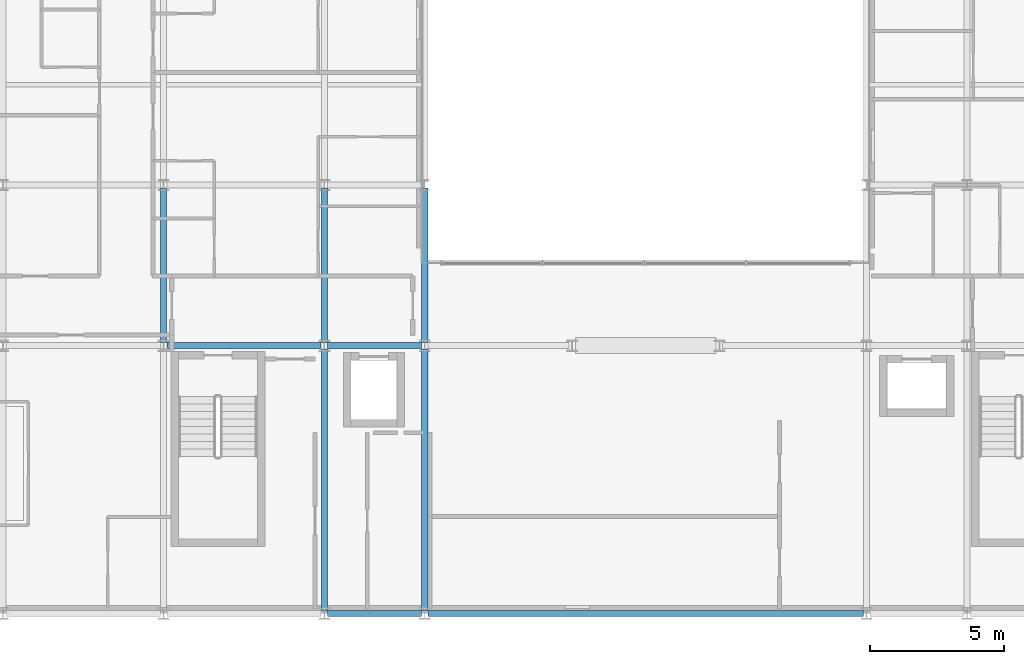
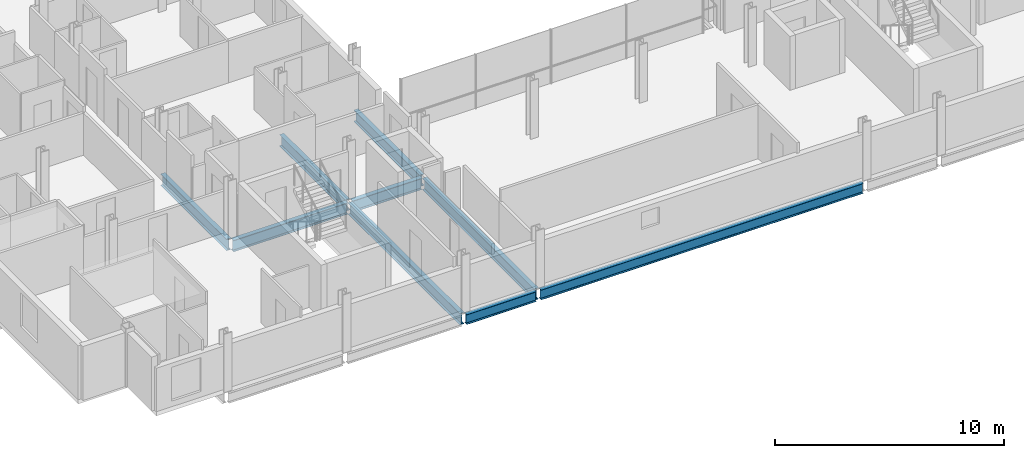
# One storey, part 3 of 39: 9 beams.
"""IFC4 building model written with IfcOpenShell, lengths in metres."""

from ifc_helpers import new_model, si_unit, direction, frame, origin, origin_2d, place, context, subcontext, project, spatial, i_section, extrude, material, material_profile, profile_set, type_object, element, save


model = new_model("IFC4")

# Units and contexts
model_context = context("Model", 3, precision=1e-05, world=origin(), true_north=direction((0.0, 1.0)))
body_context = subcontext(model_context, "Body", "Model", "MODEL_VIEW")
ifc_project = project(units=[si_unit("LENGTHUNIT", "METRE"), si_unit("AREAUNIT", "SQUARE_METRE"), si_unit("VOLUMEUNIT", "CUBIC_METRE"), si_unit("PLANEANGLEUNIT", "RADIAN"), si_unit("MASSUNIT", "GRAM", prefix="KILO")], contexts=[model_context])

# Site, building, storey
site_placement = place(None, origin())
site = spatial("IfcSite", under=ifc_project, at=site_placement, CompositionType="ELEMENT")
building_placement = place(site_placement, origin())
building = spatial("IfcBuilding", under=site, at=building_placement, Name="Brevholm Reach", CompositionType="ELEMENT")
storey_placement = place(building_placement, frame((0.0, 0.0, 103.5)))
storey = spatial("IfcBuildingStorey", under=building, at=storey_placement, Name="L30", CompositionType="ELEMENT", Elevation=103.5)

# Beams
ifc_material_1 = material(Name="Structural Steel S355J2", Category="steel")
ifc_material_profile_1 = material_profile(ifc_material_1, i_section(OverallWidth=0.209228515625, OverallDepth=0.533203125, WebThickness=0.010009765625, FlangeThickness=0.015625, FilletRadius=0.0126953125, at=origin_2d()), Name="UKB 533x210x92")
ifc_profile_set_1 = profile_set([ifc_material_profile_1], Name="Structural Steel S355J2")
beam_type_1 = type_object("IfcBeamType", Name="BM-SP533", PredefinedType="SPANDREL", material=ifc_profile_set_1)
beam_1_placement = place(storey_placement, frame((18.1201171875, 0.0, -0.486572265625), z_axis=(1.0, 0.0, 0.0), x_axis=(0.0, 1.0, 0.0)))
element("IfcBeam", 1, at=beam_1_placement, inside=storey, type_object=beam_type_1, Name="L30 SP-02 Framing Beam", PredefinedType="SPANDREL", context=body_context, shape_type="SweptSolid", body=[
    extrude(i_section(OverallWidth=0.209228515625, OverallDepth=0.533203125, WebThickness=0.010009765625, FlangeThickness=0.015625, FilletRadius=0.0126953125, at=origin_2d()), origin(), (0.0, 0.0, 1.0), 3.509765625),
])
beam_2_placement = place(storey_placement, frame((21.8701171875, 0.0, -0.486572265625), z_axis=(1.0, 0.0, 0.0), x_axis=(0.0, 1.0, 0.0)))
element("IfcBeam", 2, at=beam_2_placement, inside=storey, type_object=beam_type_1, Name="L30 SP-02 Framing Beam", PredefinedType="SPANDREL", context=body_context, shape_type="SweptSolid", body=[
    extrude(i_section(OverallWidth=0.209228515625, OverallDepth=0.533203125, WebThickness=0.010009765625, FlangeThickness=0.015625, FilletRadius=0.0126953125, at=origin_2d()), origin(), (0.0, 0.0, 1.0), 16.259765625),
])
ifc_material_2 = material(Name="Structural Steel S355J2", Category="steel")
ifc_material_profile_2 = material_profile(ifc_material_2, i_section(OverallWidth=0.22900390625, OverallDepth=0.6123046875, WebThickness=0.011962890625, FlangeThickness=0.01953125, FilletRadius=0.0126953125, at=origin_2d()), Name="UKB 610x229x125")
ifc_profile_set_2 = profile_set([ifc_material_profile_2], Name="Structural Steel S355J2")
beam_type_2 = type_object("IfcBeamType", Name="BM-SP610", PredefinedType="SPANDREL", material=ifc_profile_set_2)
beam_3_placement = place(storey_placement, frame((12.1201171875, 10.0, -0.526123046875), z_axis=(1.0, 0.0, 0.0), x_axis=(0.0, 1.0, 0.0)))
element("IfcBeam", 3, at=beam_3_placement, inside=storey, type_object=beam_type_2, Name="L30 SP-01 Framing Beam", PredefinedType="SPANDREL", context=body_context, shape_type="SweptSolid", body=[
    extrude(i_section(OverallWidth=0.22900390625, OverallDepth=0.6123046875, WebThickness=0.011962890625, FlangeThickness=0.01953125, FilletRadius=0.0126953125, at=origin_2d()), origin(), (0.0, 0.0, 1.0), 5.759765625),
])
beam_4_placement = place(storey_placement, frame((18.1201171875, 10.0, -0.526123046875), z_axis=(1.0, 0.0, 0.0), x_axis=(0.0, 1.0, 0.0)))
element("IfcBeam", 4, at=beam_4_placement, inside=storey, type_object=beam_type_2, Name="L30 SP-01 Framing Beam", PredefinedType="SPANDREL", context=body_context, shape_type="SweptSolid", body=[
    extrude(i_section(OverallWidth=0.22900390625, OverallDepth=0.6123046875, WebThickness=0.011962890625, FlangeThickness=0.01953125, FilletRadius=0.0126953125, at=origin_2d()), origin(), (0.0, 0.0, 1.0), 3.509765625),
])
beam_5_placement = place(storey_placement, frame((12.0, 10.1201171875, -0.526123046875), z_axis=(0.0, 1.0, 0.0), x_axis=(-1.0, 0.0, 0.0)))
element("IfcBeam", 5, at=beam_5_placement, inside=storey, type_object=beam_type_2, Name="L30 SP-01 Framing Beam", PredefinedType="SPANDREL", context=body_context, shape_type="SweptSolid", body=[
    extrude(i_section(OverallWidth=0.22900390625, OverallDepth=0.6123046875, WebThickness=0.011962890625, FlangeThickness=0.01953125, FilletRadius=0.0126953125, at=origin_2d()), origin(), (0.0, 0.0, 1.0), 5.759765625),
])
beam_6_placement = place(storey_placement, frame((18.0, 0.1201171875, -0.526123046875), z_axis=(0.0, 1.0, 0.0), x_axis=(-1.0, 0.0, 0.0)))
element("IfcBeam", 6, at=beam_6_placement, inside=storey, type_object=beam_type_2, Name="L30 SP-01 Framing Beam", PredefinedType="SPANDREL", context=body_context, shape_type="SweptSolid", body=[
    extrude(i_section(OverallWidth=0.22900390625, OverallDepth=0.6123046875, WebThickness=0.011962890625, FlangeThickness=0.01953125, FilletRadius=0.0126953125, at=origin_2d()), origin(), (0.0, 0.0, 1.0), 9.759765625),
])
beam_7_placement = place(storey_placement, frame((18.0, 10.1201171875, -0.526123046875), z_axis=(0.0, 1.0, 0.0), x_axis=(-1.0, 0.0, 0.0)))
element("IfcBeam", 7, at=beam_7_placement, inside=storey, type_object=beam_type_2, Name="L30 SP-01 Framing Beam", PredefinedType="SPANDREL", context=body_context, shape_type="SweptSolid", body=[
    extrude(i_section(OverallWidth=0.22900390625, OverallDepth=0.6123046875, WebThickness=0.011962890625, FlangeThickness=0.01953125, FilletRadius=0.0126953125, at=origin_2d()), origin(), (0.0, 0.0, 1.0), 5.759765625),
])
beam_8_placement = place(storey_placement, frame((21.75, 0.1201171875, -0.526123046875), z_axis=(0.0, 1.0, 0.0), x_axis=(-1.0, 0.0, 0.0)))
element("IfcBeam", 8, at=beam_8_placement, inside=storey, type_object=beam_type_2, Name="L30 SP-01 Framing Beam", PredefinedType="SPANDREL", context=body_context, shape_type="SweptSolid", body=[
    extrude(i_section(OverallWidth=0.22900390625, OverallDepth=0.6123046875, WebThickness=0.011962890625, FlangeThickness=0.01953125, FilletRadius=0.0126953125, at=origin_2d()), origin(), (0.0, 0.0, 1.0), 9.759765625),
])
beam_9_placement = place(storey_placement, frame((21.75, 10.1201171875, -0.526123046875), z_axis=(0.0, 1.0, 0.0), x_axis=(-1.0, 0.0, 0.0)))
element("IfcBeam", 9, at=beam_9_placement, inside=storey, type_object=beam_type_2, Name="L30 SP-01 Framing Beam", PredefinedType="SPANDREL", context=body_context, shape_type="SweptSolid", body=[
    extrude(i_section(OverallWidth=0.22900390625, OverallDepth=0.6123046875, WebThickness=0.011962890625, FlangeThickness=0.01953125, FilletRadius=0.0126953125, at=origin_2d()), origin(), (0.0, 0.0, 1.0), 5.759765625),
])

save(model, "model.ifc")
